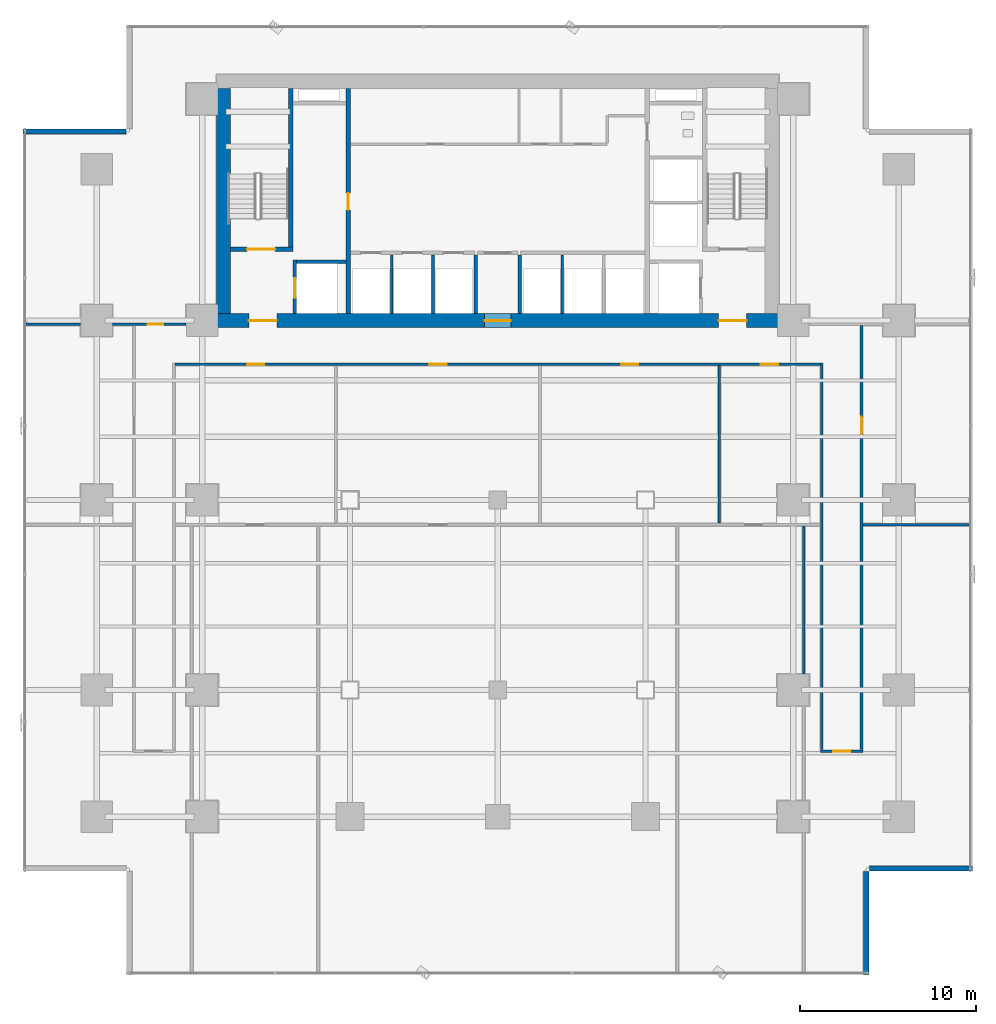
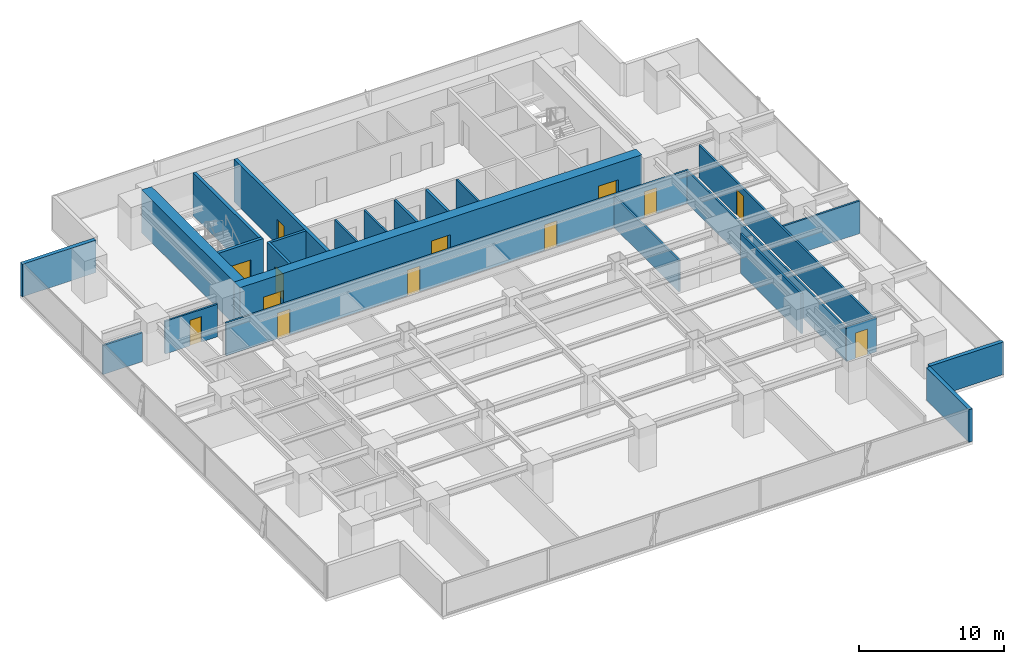
# One storey, part 24 of 32: 24 walls, 13 doors, 13 openings.
"""IFC4 building model written with IfcOpenShell, lengths in metres."""

import ifcopenshell
import ifcopenshell.guid

model = None  # the IFC model being written
_history = None  # IfcOwnerHistory: only IFC2X3 demands one
_inside = {}  # id of a spatial element -> (the spatial element, [elements in it])
_under = {}  # id of a project, library or spatial element -> (it, [spatial elements below it])
_declared = {}  # id of a project -> (the project, [libraries it declares])
_typed = {}  # id of a type object -> (the type object, [elements of that type])
_made_of = {}  # id of a material, layer set ... -> (it, [elements and type objects made of it])


def new_model(schema):
    """Start an empty IFC model of exactly this schema.

    Asked for "IFC4X3", IfcOpenShell would pick the latest addendum, in which some entities
    have other attributes; the version numbers below select the first issue.
    IFC2X3 requires an IfcOwnerHistory on every rooted entity: one is made here for all.
    """
    global model, _history
    if schema == "IFC4X3":
        model = ifcopenshell.file(schema_version=(4, 3, 0, 0))
    else:
        model = ifcopenshell.file(schema=schema)
    _inside.clear()
    _under.clear()
    _declared.clear()
    _typed.clear()
    _made_of.clear()
    _history = None
    if model.schema == "IFC2X3":
        org = make("IfcOrganization", Name="unknown")
        user = make(
            "IfcPersonAndOrganization",
            ThePerson=make("IfcPerson", FamilyName="unknown"),
            TheOrganization=org,
        )
        app = make(
            "IfcApplication",
            ApplicationDeveloper=org,
            Version="unknown",
            ApplicationFullName="unknown",
            ApplicationIdentifier="unknown",
        )
        _history = make(
            "IfcOwnerHistory",
            OwningUser=user,
            OwningApplication=app,
            ChangeAction="ADDED",
            CreationDate=0,
        )
    return model


def make(cls, **values):
    """One entity of the class cls with the attributes given. An attribute that is None is left unset."""
    return model.create_entity(
        cls, **{name: value for name, value in values.items() if value is not None}
    )


def rooted(cls, **values):
    """An entity with a GlobalId (a new one), such as an element, a storey or a relation."""
    return make(cls, GlobalId=ifcopenshell.guid.new(), OwnerHistory=_history, **values)


def si_unit(unit_type, name, prefix=None):
    """IfcSIUnit, for example si_unit("LENGTHUNIT", "METRE", prefix="MILLI")."""
    return make("IfcSIUnit", UnitType=unit_type, Prefix=prefix, Name=name)


def assignment(units):
    """IfcUnitAssignment: the units of a project."""
    return None if units is None else make("IfcUnitAssignment", Units=units)


def point(xyz):
    """IfcCartesianPoint."""
    return None if xyz is None else make("IfcCartesianPoint", Coordinates=xyz)


def direction(xyz):
    """IfcDirection."""
    return None if xyz is None else make("IfcDirection", DirectionRatios=xyz)


def frame(location, z_axis=None, x_axis=None):
    """IfcAxis2Placement3D, a coordinate frame: its origin and axes. An axis left out is left unset."""
    return make(
        "IfcAxis2Placement3D",
        Location=point(location),
        Axis=direction(z_axis),
        RefDirection=direction(x_axis),
    )


def frame_2d(location, x_axis=None):
    """IfcAxis2Placement2D, a coordinate frame in the plane: its origin and x axis."""
    return make(
        "IfcAxis2Placement2D", Location=point(location), RefDirection=direction(x_axis)
    )


def origin():
    """The frame at (0, 0, 0) with its axes left unset."""
    return frame((0.0, 0.0, 0.0))


def place(relative_to, where):
    """IfcLocalPlacement: puts the frame where relative to a parent placement (None: the world)."""
    return make(
        "IfcLocalPlacement", PlacementRelTo=relative_to, RelativePlacement=where
    )


def context(
    kind, dimensions, precision=None, world=None, true_north=None, identifier=None
):
    """IfcGeometricRepresentationContext, for example the 3D "Model" context."""
    return make(
        "IfcGeometricRepresentationContext",
        ContextIdentifier=identifier,
        ContextType=kind,
        CoordinateSpaceDimension=dimensions,
        Precision=precision,
        WorldCoordinateSystem=world,
        TrueNorth=true_north,
    )


def subcontext(parent, identifier, kind, view, scale=None):
    """IfcGeometricRepresentationSubContext, for example "Body" below "Model"."""
    return make(
        "IfcGeometricRepresentationSubContext",
        ContextIdentifier=identifier,
        ContextType=kind,
        ParentContext=parent,
        TargetScale=scale,
        TargetView=view,
    )


def project(units=None, contexts=None):
    """IfcProject with its units and contexts."""
    return rooted(
        "IfcProject",
        Name="project",
        RepresentationContexts=contexts,
        UnitsInContext=assignment(units),
    )


def spatial(cls, under=None, at=None, **own):
    """A site, building, storey or space (cls), placed at a placement, below another one or the project."""
    s = rooted(cls, ObjectPlacement=at, **own)
    if under is not None:
        _under.setdefault(under.id(), (under, []))[1].append(s)
    return s


def profile(cls, at=None, kind="AREA", **sizes):
    """A parametric profile (cls). Its sizes go by their IFC names, for example OverallWidth=200.0."""
    return make(cls, ProfileType=kind, Position=at, **sizes)


def rectangle(**sizes):
    """IfcRectangleProfileDef."""
    return profile("IfcRectangleProfileDef", **sizes)


def extrude(swept, where, along, depth):
    """IfcExtrudedAreaSolid: the profile swept, set in the frame where, extruded along a direction by depth."""
    return make(
        "IfcExtrudedAreaSolid",
        SweptArea=swept,
        Position=where,
        ExtrudedDirection=direction(along),
        Depth=depth,
    )


def shape(context_of_items, identifier, shape_type, items):
    """IfcShapeRepresentation: the items that make up one representation, for example the "Body"."""
    return make(
        "IfcShapeRepresentation",
        ContextOfItems=context_of_items,
        RepresentationIdentifier=identifier,
        RepresentationType=shape_type,
        Items=items,
    )


def source(mapping_origin, context_of_items, identifier, shape_type, items):
    """IfcRepresentationMap: a shape defined once, which mapped items show again and again."""
    return make(
        "IfcRepresentationMap",
        MappingOrigin=mapping_origin,
        MappedRepresentation=shape(context_of_items, identifier, shape_type, items),
    )


def transform(
    local_origin,
    x_axis=None,
    y_axis=None,
    z_axis=None,
    scale=None,
    scale2=None,
    scale3=None,
    uniform=True,
):
    """IfcCartesianTransformationOperator3D, or its non-uniform kind. x_axis, y_axis, z_axis: its Axis1, 2, 3."""
    if uniform:
        return make(
            "IfcCartesianTransformationOperator3D",
            Axis1=direction(x_axis),
            Axis2=direction(y_axis),
            LocalOrigin=point(local_origin),
            Scale=scale,
            Axis3=direction(z_axis),
        )
    return make(
        "IfcCartesianTransformationOperator3DnonUniform",
        Axis1=direction(x_axis),
        Axis2=direction(y_axis),
        LocalOrigin=point(local_origin),
        Scale=scale,
        Axis3=direction(z_axis),
        Scale2=scale2,
        Scale3=scale3,
    )


def mapped(mapping_source, mapping_target):
    """IfcMappedItem: shows the shape of a source again, moved by a transform."""
    return make(
        "IfcMappedItem", MappingSource=mapping_source, MappingTarget=mapping_target
    )


def material(Name=None, Category=None):
    """IfcMaterial."""
    return make("IfcMaterial", Name=Name, Category=Category)


def layer(
    of_material, thickness, ventilated=None, Name=None, Category=None, Priority=None
):
    """IfcMaterialLayer: one layer of a wall or slab, of a material (None: an air gap)."""
    return make(
        "IfcMaterialLayer",
        Material=of_material,
        LayerThickness=thickness,
        IsVentilated=ventilated,
        Name=Name,
        Category=Category,
        Priority=Priority,
    )


def layer_set(layers, Name=None):
    """IfcMaterialLayerSet."""
    return make("IfcMaterialLayerSet", MaterialLayers=layers, LayerSetName=Name)


def made_of(thing, what):
    """Note that an element or type object is made of a material, layer set ...; save() writes the relation."""
    if what is not None:
        _made_of.setdefault(what.id(), (what, []))[1].append(thing)
    return thing


def type_object(cls, material=None, **own):
    """A type object (cls), such as IfcWallType, which elements share."""
    return made_of(rooted(cls, **own), material)


def element(
    cls,
    number,
    at=None,
    inside=None,
    cuts=None,
    type_object=None,
    material=None,
    context=None,
    identifier="Body",
    shape_type=None,
    held_by="IfcProductDefinitionShape",
    body=None,
    shapes=None,
    **own,
):
    """One element of the class cls, such as IfcWall. Its Tag is "e" and its number.

    at: its placement. inside: the storey or other place that contains it. cuts: it is an
    opening in that element (IfcRelVoidsElement). A single representation is given by context,
    identifier, shape_type and body (its items); several are given by shapes. held_by: the class
    of the entity that holds the representations. save() writes the other relations.
    """
    e = rooted(cls, Tag="e%d" % number, ObjectPlacement=at, **own)
    if body is not None:
        shapes = [shape(context, identifier, shape_type, body)]
    if shapes is not None:
        e.Representation = make(held_by, Representations=shapes)
    if inside is not None:
        _inside.setdefault(inside.id(), (inside, []))[1].append(e)
    if cuts is not None:
        rooted(
            "IfcRelVoidsElement", RelatingBuildingElement=cuts, RelatedOpeningElement=e
        )
    if type_object is not None:
        _typed.setdefault(type_object.id(), (type_object, []))[1].append(e)
    return made_of(e, material)


def fill(opening, filler):
    """IfcRelFillsElement: the door or window that sits in an opening."""
    return rooted(
        "IfcRelFillsElement",
        RelatingOpeningElement=opening,
        RelatedBuildingElement=filler,
    )


def aggregate(whole, parts):
    """IfcRelAggregates: a whole, such as a stair, and the parts it consists of."""
    return rooted("IfcRelAggregates", RelatingObject=whole, RelatedObjects=parts)


def save(model, path):
    """Write the relations noted so far, then the file.

    IfcRelAggregates (storeys below a building ...), IfcRelContainedInSpatialStructure (elements
    in a storey), IfcRelDefinesByType, IfcRelAssociatesMaterial and IfcRelDeclares: one each for
    every whole, place, type object, material and project.
    """
    for whole, parts in _under.values():
        aggregate(whole, parts)
    for where, things in _inside.values():
        rooted(
            "IfcRelContainedInSpatialStructure",
            RelatedElements=things,
            RelatingStructure=where,
        )
    for kind, things in _typed.values():
        rooted("IfcRelDefinesByType", RelatedObjects=things, RelatingType=kind)
    for what, things in _made_of.values():
        rooted("IfcRelAssociatesMaterial", RelatedObjects=things, RelatingMaterial=what)
    for by, libraries in _declared.values():
        rooted("IfcRelDeclares", RelatingContext=by, RelatedDefinitions=libraries)
    model.write(path)


model = new_model("IFC4")

# Units and contexts
model_context = context("Model", 3, precision=1e-05, world=origin(), true_north=direction((0.0, 1.0)))
body_context = subcontext(model_context, "Body", "Model", "MODEL_VIEW")
ifc_project = project(units=[si_unit("LENGTHUNIT", "METRE"), si_unit("AREAUNIT", "SQUARE_METRE"), si_unit("VOLUMEUNIT", "CUBIC_METRE"), si_unit("PLANEANGLEUNIT", "RADIAN"), si_unit("MASSUNIT", "GRAM", prefix="KILO")], contexts=[model_context])

# Site, building, storey
site_placement = place(None, origin())
site = spatial("IfcSite", under=ifc_project, at=site_placement, CompositionType="ELEMENT")
building_placement = place(site_placement, origin())
building = spatial("IfcBuilding", under=site, at=building_placement, Name="Sumidabori Civic Tower", CompositionType="ELEMENT")
storey_placement = place(building_placement, frame((0.0, 0.0, 48.800048828125)))
storey = spatial("IfcBuildingStorey", under=building, at=storey_placement, Name="L12", CompositionType="ELEMENT", Elevation=48.800048828125)

# Wall, openings, doors
ifc_material_1 = material(Name="Concrete C60/75", Category="concrete")
ifc_layer_1 = layer(ifc_material_1, 0.800048828125, Name="Concrete C60/75")
ifc_layer_set_1 = layer_set([ifc_layer_1], Name="Concrete C60/75")
wall_type_1 = type_object("IfcWallType", Name="WL-CORE-800", PredefinedType="SHEAR", material=ifc_layer_set_1)
shared_shape_1 = source(origin(), body_context, "Body", "SweptSolid", [
    extrude(rectangle(XDim=32.0, YDim=0.800048828125, at=frame_2d((16.0, 0.0))), origin(), (0.0, 0.0, 1.0), 3.599853515625),
])
wall_1_placement = place(storey_placement, frame((-16.0, 10.199951171875, 0.0), z_axis=(0.0, 0.0, 1.0), x_axis=(1.0, 0.0, 0.0)))
wall_1 = element("IfcWall", 1, at=wall_1_placement, inside=storey, type_object=wall_type_1, Name="Core Shear Wall L12 S", PredefinedType="SHEAR", context=body_context, shape_type="MappedRepresentation", body=[
    mapped(shared_shape_1, transform((0.0, 0.0, 0.0), x_axis=(1.0, 0.0, 0.0), y_axis=(0.0, 1.0, 0.0), z_axis=(0.0, 0.0, 1.0), scale=1.0)),
])
opening_1_placement = place(wall_1_placement, frame((1.85009765625, 0.0, 0.0)))
opening_1 = element("IfcOpeningElement", 2, at=opening_1_placement, cuts=wall_1, Name="Opening DR-FD4", PredefinedType="OPENING", context=body_context, shape_type="SweptSolid", body=[
    extrude(rectangle(XDim=1.60009765625, YDim=2.14990234375, at=frame_2d((0.800048828125, 1.074951171875))), frame((0.0, 0.412109375, 0.0), z_axis=(0.0, -1.0, 0.0), x_axis=(1.0, 0.0, 0.0)), (0.0, 0.0, 1.0), 0.823974609375),
])
opening_2_placement = place(wall_1_placement, frame((28.550048828125, 0.0, 0.0)))
opening_2 = element("IfcOpeningElement", 3, at=opening_2_placement, cuts=wall_1, Name="Opening DR-FD4", PredefinedType="OPENING", context=body_context, shape_type="SweptSolid", body=[
    extrude(rectangle(XDim=1.60009765625, YDim=2.14990234375, at=frame_2d((0.800048828125, 1.074951171875))), frame((0.0, 0.412109375, 0.0), z_axis=(0.0, -1.0, 0.0), x_axis=(1.0, 0.0, 0.0)), (0.0, 0.0, 1.0), 0.823974609375),
])
opening_3_placement = place(wall_1_placement, frame((15.25, 0.0, 0.0)))
opening_3 = element("IfcOpeningElement", 4, at=opening_3_placement, cuts=wall_1, Name="Opening DR-FD3", PredefinedType="OPENING", context=body_context, shape_type="SweptSolid", body=[
    extrude(rectangle(XDim=1.5, YDim=2.199951171875, at=frame_2d((0.75, 1.10009765625))), frame((0.0, 0.412109375, 0.0), z_axis=(0.0, -1.0, 0.0), x_axis=(1.0, 0.0, 0.0)), (0.0, 0.0, 1.0), 0.823974609375),
])
ifc_material_2 = material(Name="Steel SN490", Category="steel")
door_type_1 = type_object("IfcDoorType", Name="DR-FD4", OperationType="DOUBLE_DOOR_SINGLE_SWING", PredefinedType="DOOR", material=ifc_material_2)
shared_shape_2 = source(origin(), body_context, "Body", "SweptSolid", [
    extrude(rectangle(XDim=1.60009765625, YDim=2.14990234375, at=frame_2d((0.800048828125, 1.074951171875))), frame((0.0, 0.02490234375, 0.0), z_axis=(0.0, -1.0, 0.0), x_axis=(1.0, 0.0, 0.0)), (0.0, 0.0, 1.0), 0.050048828125),
])
door_1_placement = place(opening_1_placement, origin())
door_1 = element("IfcDoor", 5, at=door_1_placement, inside=storey, type_object=door_type_1, Name="Door DR:L12:ELOB-W", OperationType="DOUBLE_DOOR_SINGLE_SWING", OverallHeight=2.14990234375, OverallWidth=1.60009765625, PredefinedType="DOOR", context=body_context, shape_type="MappedRepresentation", body=[
    mapped(shared_shape_2, transform((0.0, 0.0, 0.0), x_axis=(1.0, 0.0, 0.0), y_axis=(0.0, 1.0, 0.0), z_axis=(0.0, 0.0, 1.0), scale=1.0)),
])
fill(opening_1, door_1)
door_2_placement = place(opening_2_placement, origin())
door_2 = element("IfcDoor", 6, at=door_2_placement, inside=storey, type_object=door_type_1, Name="Door DR:L12:ELOB-E", OperationType="DOUBLE_DOOR_SINGLE_SWING", OverallHeight=2.14990234375, OverallWidth=1.60009765625, PredefinedType="DOOR", context=body_context, shape_type="MappedRepresentation", body=[
    mapped(shared_shape_2, transform((0.0, 0.0, 0.0), x_axis=(1.0, 0.0, 0.0), y_axis=(0.0, 1.0, 0.0), z_axis=(0.0, 0.0, 1.0), scale=1.0)),
])
fill(opening_2, door_2)
door_type_2 = type_object("IfcDoorType", Name="DR-FD-DBL", OperationType="DOUBLE_DOOR_SINGLE_SWING", PredefinedType="DOOR", material=ifc_material_2)
shared_shape_3 = source(origin(), body_context, "Body", "SweptSolid", [
    extrude(rectangle(XDim=1.5, YDim=2.199951171875, at=frame_2d((0.75, 1.10009765625))), frame((0.0, 0.02490234375, 0.0), z_axis=(0.0, -1.0, 0.0), x_axis=(1.0, 0.0, 0.0)), (0.0, 0.0, 1.0), 0.050048828125),
])
door_3_placement = place(opening_3_placement, origin())
door_3 = element("IfcDoor", 7, at=door_3_placement, inside=storey, type_object=door_type_2, Name="Door DR:L12:THROAT-OUT", OperationType="DOUBLE_DOOR_SINGLE_SWING", OverallHeight=2.199951171875, OverallWidth=1.5, PredefinedType="DOOR", context=body_context, shape_type="MappedRepresentation", body=[
    mapped(shared_shape_3, transform((0.0, 0.0, 0.0), x_axis=(1.0, 0.0, 0.0), y_axis=(0.0, 1.0, 0.0), z_axis=(0.0, 0.0, 1.0), scale=1.0)),
])
fill(opening_3, door_3)

# Wall
shared_shape_4 = source(origin(), body_context, "Body", "SweptSolid", [
    extrude(rectangle(XDim=12.7998046875, YDim=0.800048828125, at=frame_2d((6.39990234375, 0.0))), origin(), (0.0, 0.0, 1.0), 3.599853515625),
])
wall_2_placement = place(storey_placement, frame((-15.60009765625, 10.60009765625, 0.0), z_axis=(0.0, 0.0, 1.0), x_axis=(0.0, 1.0, 0.0)))
element("IfcWall", 8, at=wall_2_placement, inside=storey, type_object=wall_type_1, Name="Core Shear Wall L12 W", PredefinedType="SHEAR", context=body_context, shape_type="MappedRepresentation", body=[
    mapped(shared_shape_4, transform((0.0, 0.0, 0.0), x_axis=(1.0, 0.0, 0.0), y_axis=(0.0, 1.0, 0.0), z_axis=(0.0, 0.0, 1.0), scale=1.0)),
])

# Wall, opening, door
ifc_material_3 = material(Name="Concrete C50/60", Category="concrete")
ifc_layer_2 = layer(ifc_material_3, 0.25, Name="Concrete C50/60")
ifc_layer_set_2 = layer_set([ifc_layer_2], Name="Concrete C50/60")
wall_type_2 = type_object("IfcWallType", Name="WL-SHAFT-250", PredefinedType="SHEAR", material=ifc_layer_set_2)
shared_shape_5 = source(origin(), body_context, "Body", "SweptSolid", [
    extrude(rectangle(XDim=12.7998046875, YDim=0.25, at=frame_2d((6.39990234375, 0.0))), origin(), (0.0, 0.0, 1.0), 3.599853515625),
])
wall_3_placement = place(storey_placement, frame((-8.5, 10.60009765625, 0.0), z_axis=(0.0, 0.0, 1.0), x_axis=(0.0, 1.0, 0.0)))
wall_3 = element("IfcWall", 9, at=wall_3_placement, inside=storey, type_object=wall_type_2, Name="Core Shear Wall L12 WEB-W", PredefinedType="SHEAR", context=body_context, shape_type="MappedRepresentation", body=[
    mapped(shared_shape_5, transform((0.0, 0.0, 0.0), x_axis=(1.0, 0.0, 0.0), y_axis=(0.0, 1.0, 0.0), z_axis=(0.0, 0.0, 1.0), scale=1.0)),
])
opening_4_placement = place(wall_3_placement, frame((5.89990234375, 0.0, 0.0)))
opening_4 = element("IfcOpeningElement", 10, at=opening_4_placement, cuts=wall_3, Name="Opening DR-FD2", PredefinedType="OPENING", context=body_context, shape_type="SweptSolid", body=[
    extrude(rectangle(XDim=0.949951171875, YDim=2.14990234375, at=frame_2d((0.47509765625, 1.074951171875))), frame((0.0, 0.136962890625, 0.0), z_axis=(0.0, -1.0, 0.0), x_axis=(1.0, 0.0, 0.0)), (0.0, 0.0, 1.0), 0.27392578125),
])
door_type_3 = type_object("IfcDoorType", Name="DR-FD2", OperationType="NOTDEFINED", PredefinedType="DOOR", material=ifc_material_2)
shared_shape_6 = source(origin(), body_context, "Body", "SweptSolid", [
    extrude(rectangle(XDim=0.949951171875, YDim=2.14990234375, at=frame_2d((0.47509765625, 1.074951171875))), frame((0.0, 0.02490234375, 0.0), z_axis=(0.0, -1.0, 0.0), x_axis=(1.0, 0.0, 0.0)), (0.0, 0.0, 1.0), 0.050048828125),
])
door_4_placement = place(opening_4_placement, origin())
door_4 = element("IfcDoor", 11, at=door_4_placement, inside=storey, type_object=door_type_3, Name="Door DR:L12:CW-STR", OperationType="SINGLE_SWING_LEFT", OverallHeight=2.14990234375, OverallWidth=0.949951171875, PredefinedType="DOOR", context=body_context, shape_type="MappedRepresentation", body=[
    mapped(shared_shape_6, transform((0.0, 0.0, 0.0), x_axis=(1.0, 0.0, 0.0), y_axis=(0.0, 1.0, 0.0), z_axis=(0.0, 0.0, 1.0), scale=1.0)),
])
fill(opening_4, door_4)

shared_shape_7 = source(origin(), body_context, "Body", "SweptSolid", [
    extrude(rectangle(XDim=3.554931640625, YDim=0.25, at=frame_2d((1.77734375, 0.0))), origin(), (0.0, 0.0, 1.0), 3.599853515625),
])
wall_4_placement = place(storey_placement, frame((-15.199951171875, 14.25, 0.0), z_axis=(0.0, 0.0, 1.0), x_axis=(1.0, 0.0, 0.0)))
wall_4 = element("IfcWall", 12, at=wall_4_placement, inside=storey, type_object=wall_type_2, Name="Core Shear Wall L12 ST1-S", PredefinedType="SHEAR", context=body_context, shape_type="MappedRepresentation", body=[
    mapped(shared_shape_7, transform((0.0, 0.0, 0.0), x_axis=(1.0, 0.0, 0.0), y_axis=(0.0, 1.0, 0.0), z_axis=(0.0, 0.0, 1.0), scale=1.0)),
])
opening_5_placement = place(wall_4_placement, frame((0.949951171875, 0.0, 0.0)))
opening_5 = element("IfcOpeningElement", 13, at=opening_5_placement, cuts=wall_4, Name="Opening DR-FD4", PredefinedType="OPENING", context=body_context, shape_type="SweptSolid", body=[
    extrude(rectangle(XDim=1.60009765625, YDim=2.14990234375, at=frame_2d((0.800048828125, 1.074951171875))), frame((0.0, 0.136962890625, 0.0), z_axis=(0.0, -1.0, 0.0), x_axis=(1.0, 0.0, 0.0)), (0.0, 0.0, 1.0), 0.27392578125),
])
door_5_placement = place(opening_5_placement, origin())
door_5 = element("IfcDoor", 14, at=door_5_placement, inside=storey, type_object=door_type_1, Name="Door DR:L12:ST1", OperationType="DOUBLE_DOOR_SINGLE_SWING", OverallHeight=2.14990234375, OverallWidth=1.60009765625, PredefinedType="DOOR", context=body_context, shape_type="MappedRepresentation", body=[
    mapped(shared_shape_2, transform((0.0, 0.0, 0.0), x_axis=(1.0, 0.0, 0.0), y_axis=(0.0, 1.0, 0.0), z_axis=(0.0, 0.0, 1.0), scale=1.0)),
])
fill(opening_5, door_5)

# Wall
shared_shape_8 = source(origin(), body_context, "Body", "SweptSolid", [
    extrude(rectangle(XDim=9.02490234375, YDim=0.25, at=frame_2d((4.512451171875, 0.0))), origin(), (0.0, 0.0, 1.0), 3.599853515625),
])
wall_5_placement = place(storey_placement, frame((-11.77001953125, 14.375, 0.0), z_axis=(0.0, 0.0, 1.0), x_axis=(0.0, 1.0, 0.0)))
element("IfcWall", 15, at=wall_5_placement, inside=storey, type_object=wall_type_2, Name="Core Shear Wall L12 ST1-E", PredefinedType="SHEAR", context=body_context, shape_type="MappedRepresentation", body=[
    mapped(shared_shape_8, transform((0.0, 0.0, 0.0), x_axis=(1.0, 0.0, 0.0), y_axis=(0.0, 1.0, 0.0), z_axis=(0.0, 0.0, 1.0), scale=1.0)),
])

# Wall, opening, door
ifc_layer_3 = layer(ifc_material_3, 0.199951171875, Name="Concrete C50/60")
ifc_layer_set_3 = layer_set([ifc_layer_3], Name="Concrete C50/60")
wall_type_3 = type_object("IfcWallType", Name="WL-SHAFT-200", PredefinedType="SHEAR", material=ifc_layer_set_3)
shared_shape_9 = source(origin(), body_context, "Body", "SweptSolid", [
    extrude(rectangle(XDim=3.0498046875, YDim=0.199951171875, at=frame_2d((1.52490234375, 0.0))), origin(), (0.0, 0.0, 1.0), 3.599853515625),
])
wall_6_placement = place(storey_placement, frame((-11.550048828125, 10.60009765625, 0.0), z_axis=(0.0, 0.0, 1.0), x_axis=(0.0, 1.0, 0.0)))
wall_6 = element("IfcWall", 16, at=wall_6_placement, inside=storey, type_object=wall_type_3, Name="Core Shear Wall L12 EL1-W", PredefinedType="SHEAR", context=body_context, shape_type="MappedRepresentation", body=[
    mapped(shared_shape_9, transform((0.0, 0.0, 0.0), x_axis=(1.0, 0.0, 0.0), y_axis=(0.0, 1.0, 0.0), z_axis=(0.0, 0.0, 1.0), scale=1.0)),
])
opening_6_placement = place(wall_6_placement, frame((0.89990234375, 0.0, 0.0)))
opening_6 = element("IfcOpeningElement", 17, at=opening_6_placement, cuts=wall_6, Name="Opening LD-2", PredefinedType="OPENING", context=body_context, shape_type="SweptSolid", body=[
    extrude(rectangle(XDim=1.10009765625, YDim=2.14990234375, at=frame_2d((0.550048828125, 1.074951171875))), frame((0.0, 0.11181640625, 0.0), z_axis=(0.0, -1.0, 0.0), x_axis=(1.0, 0.0, 0.0)), (0.0, 0.0, 1.0), 0.223876953125),
])
ifc_material_4 = material(Name="Stainless Steel Hairline Finish", Category="steel")
door_type_4 = type_object("IfcDoorType", Name="DR-LD2", OperationType="DOUBLE_DOOR_SLIDING", PredefinedType="DOOR", material=ifc_material_4)
shared_shape_10 = source(origin(), body_context, "Body", "SweptSolid", [
    extrude(rectangle(XDim=1.10009765625, YDim=2.14990234375, at=frame_2d((0.550048828125, 1.074951171875))), frame((0.0, 0.02490234375, 0.0), z_axis=(0.0, -1.0, 0.0), x_axis=(1.0, 0.0, 0.0)), (0.0, 0.0, 1.0), 0.050048828125),
])
door_6_placement = place(opening_6_placement, origin())
door_6 = element("IfcDoor", 18, at=door_6_placement, inside=storey, type_object=door_type_4, Name="Door DR:L12:LD-EL1", OperationType="DOUBLE_DOOR_SLIDING", OverallHeight=2.14990234375, OverallWidth=1.10009765625, PredefinedType="DOOR", context=body_context, shape_type="MappedRepresentation", body=[
    mapped(shared_shape_10, transform((0.0, 0.0, 0.0), x_axis=(1.0, 0.0, 0.0), y_axis=(0.0, 1.0, 0.0), z_axis=(0.0, 0.0, 1.0), scale=1.0)),
])
fill(opening_6, door_6)

# Walls
shared_shape_11 = source(origin(), body_context, "Body", "SweptSolid", [
    extrude(rectangle(XDim=2.824951171875, YDim=0.199951171875, at=frame_2d((1.41259765625, 0.0))), origin(), (0.0, 0.0, 1.0), 3.599853515625),
])
wall_7_placement = place(storey_placement, frame((-11.449951171875, 13.550048828125, 0.0), z_axis=(0.0, 0.0, 1.0), x_axis=(1.0, 0.0, 0.0)))
element("IfcWall", 19, at=wall_7_placement, inside=storey, type_object=wall_type_3, Name="Core Shear Wall L12 EL1-N", PredefinedType="SHEAR", context=body_context, shape_type="MappedRepresentation", body=[
    mapped(shared_shape_11, transform((0.0, 0.0, 0.0), x_axis=(1.0, 0.0, 0.0), y_axis=(0.0, 1.0, 0.0), z_axis=(0.0, 0.0, 1.0), scale=1.0)),
])
ifc_material_5 = material(Name="Precast concrete C40/50", Category="concrete")
ifc_layer_4 = layer(ifc_material_5, 0.300048828125, Name="Precast concrete C40/50")
ifc_layer_set_4 = layer_set([ifc_layer_4], Name="Precast concrete C40/50")
wall_type_4 = type_object("IfcWallType", Name="WL-EXT-POD300", PredefinedType="STANDARD", material=ifc_layer_set_4)
shared_shape_12 = source(origin(), body_context, "Body", "SweptSolid", [
    extrude(rectangle(XDim=5.85986328125, YDim=0.300048828125, at=frame_2d((2.929931640625, 0.0))), origin(), (0.0, 0.0, 1.0), 2.739990234375),
])
for number, where, z_axis, x_axis, name in (
    (20, (20.949951171875, -26.97998046875, 0.0), (0.0, 0.0, 1.0), (0.0, 1.0, 0.0), "Notched Corner Spandrel Band L12-02"),
    (21, (21.1201171875, -20.949951171875, 0.0), (0.0, 0.0, 1.0), (1.0, 0.0, 0.0), "Notched Corner Spandrel Band L12-03"),
    (22, (-21.1201171875, 20.949951171875, 0.0), (0.0, 0.0, 1.0), (-1.0, 0.0, 0.0), "Notched Corner Spandrel Band L12-09"),
):
    element("IfcWall", number, at=place(storey_placement, frame(where, z_axis=z_axis, x_axis=x_axis)), inside=storey, type_object=wall_type_4, Name=name, PredefinedType="STANDARD", context=body_context, shape_type="MappedRepresentation", body=[
        mapped(shared_shape_12, transform((0.0, 0.0, 0.0), x_axis=(1.0, 0.0, 0.0), y_axis=(0.0, 1.0, 0.0), z_axis=(0.0, 0.0, 1.0), scale=1.0)),
    ])
ifc_material_6 = material(Name="Gypsum Plasterboard Fire Partition")
ifc_layer_5 = layer(ifc_material_6, 0.199951171875, Name="Gypsum Plasterboard Fire Partition")
ifc_layer_set_5 = layer_set([ifc_layer_5], Name="Gypsum Plasterboard Fire Partition")
wall_type_5 = type_object("IfcWallType", Name="WL-PART-FIRE", PredefinedType="PARTITIONING", material=ifc_layer_set_5)
shared_shape_13 = source(origin(), body_context, "Body", "SweptSolid", [
    extrude(rectangle(XDim=3.33984375, YDim=0.199951171875, at=frame_2d((1.669921875, 0.0))), origin(), (0.0, 0.0, 1.0), 3.35986328125),
])
for number, where, z_axis, x_axis, name in (
    (23, (-1.25, 10.60009765625, 0.0), (0.0, 0.0, 1.0), (0.0, 1.0, 0.0), "Interior Partition WL:L12:THROAT-W"),
    (24, (1.25, 10.60009765625, 0.0), (0.0, 0.0, 1.0), (0.0, 1.0, 0.0), "Interior Partition WL:L12:THROAT-E"),
):
    element("IfcWall", number, at=place(storey_placement, frame(where, z_axis=z_axis, x_axis=x_axis)), inside=storey, type_object=wall_type_5, Name=name, PredefinedType="PARTITIONING", context=body_context, shape_type="MappedRepresentation", body=[
        mapped(shared_shape_13, transform((0.0, 0.0, 0.0), x_axis=(1.0, 0.0, 0.0), y_axis=(0.0, 1.0, 0.0), z_axis=(0.0, 0.0, 1.0), scale=1.0)),
    ])
ifc_material_7 = material(Name="Gypsum Plasterboard Acoustic Partition")
ifc_layer_6 = layer(ifc_material_7, 0.14990234375, Name="Gypsum Plasterboard Acoustic Partition")
ifc_layer_set_6 = layer_set([ifc_layer_6], Name="Gypsum Plasterboard Acoustic Partition")
wall_type_6 = type_object("IfcWallType", Name="WL-PART-150", PredefinedType="PARTITIONING", material=ifc_layer_set_6)
shared_shape_14 = source(origin(), body_context, "Body", "SweptSolid", [
    extrude(rectangle(XDim=3.33984375, YDim=0.14990234375, at=frame_2d((1.669921875, 0.0))), origin(), (0.0, 0.0, 1.0), 3.35986328125),
])
for number, where, z_axis, x_axis, name in (
    (25, (-6.030029296875, 10.60009765625, 0.0), (0.0, 0.0, 1.0), (0.0, 1.0, 0.0), "Interior Partition WL:L12:DIV-PLL1"),
    (26, (-3.679931640625, 10.60009765625, 0.0), (0.0, 0.0, 1.0), (0.0, 1.0, 0.0), "Interior Partition WL:L12:DIV-PLL2"),
    (27, (3.669921875, 10.60009765625, 0.0), (0.0, 0.0, 1.0), (0.0, 1.0, 0.0), "Interior Partition WL:L12:DIV-PLM1"),
):
    element("IfcWall", number, at=place(storey_placement, frame(where, z_axis=z_axis, x_axis=x_axis)), inside=storey, type_object=wall_type_6, Name=name, PredefinedType="PARTITIONING", context=body_context, shape_type="MappedRepresentation", body=[
        mapped(shared_shape_14, transform((0.0, 0.0, 0.0), x_axis=(1.0, 0.0, 0.0), y_axis=(0.0, 1.0, 0.0), z_axis=(0.0, 0.0, 1.0), scale=1.0)),
    ])
shared_shape_15 = source(origin(), body_context, "Body", "SweptSolid", [
    extrude(rectangle(XDim=3.14013671875, YDim=0.14990234375, at=frame_2d((1.570068359375, 0.0))), origin(), (0.0, 0.0, 1.0), 2.43505859375),
])
wall_8_placement = place(storey_placement, frame((-26.85009765625, 10.0, 0.0), z_axis=(0.0, 0.0, 1.0), x_axis=(1.0, 0.0, 0.0)))
element("IfcWall", 28, at=wall_8_placement, inside=storey, type_object=wall_type_6, Name="Interior Partition WL:L12:FLK-NW-1", PredefinedType="PARTITIONING", context=body_context, shape_type="MappedRepresentation", body=[
    mapped(shared_shape_15, transform((0.0, 0.0, 0.0), x_axis=(1.0, 0.0, 0.0), y_axis=(0.0, 1.0, 0.0), z_axis=(0.0, 0.0, 1.0), scale=1.0)),
])
shared_shape_16 = source(origin(), body_context, "Body", "SweptSolid", [
    extrude(rectangle(XDim=8.965087890625, YDim=0.14990234375, at=frame_2d((4.482421875, 0.0))), origin(), (0.0, 0.0, 1.0), 2.64501953125),
])
wall_9_placement = place(storey_placement, frame((12.60009765625, -1.320068359375, 0.0), z_axis=(0.0, 0.0, 1.0), x_axis=(0.0, 1.0, 0.0)))
element("IfcWall", 29, at=wall_9_placement, inside=storey, type_object=wall_type_6, Name="Interior Partition WL:L12:VX-N4", PredefinedType="PARTITIONING", context=body_context, shape_type="MappedRepresentation", body=[
    mapped(shared_shape_16, transform((0.0, 0.0, 0.0), x_axis=(1.0, 0.0, 0.0), y_axis=(0.0, 1.0, 0.0), z_axis=(0.0, 0.0, 1.0), scale=1.0)),
])

# Wall, opening, door
shared_shape_17 = source(origin(), body_context, "Body", "SweptSolid", [
    extrude(rectangle(XDim=4.179931640625, YDim=0.14990234375, at=frame_2d((2.08984375, 0.0))), origin(), (0.0, 0.0, 1.0), 2.744873046875),
])
wall_10_placement = place(storey_placement, frame((-21.889892578125, 10.0, 0.0), z_axis=(0.0, 0.0, 1.0), x_axis=(1.0, 0.0, 0.0)))
wall_10 = element("IfcWall", 30, at=wall_10_placement, inside=storey, type_object=wall_type_6, Name="Interior Partition WL:L12:FLK-NW-2", PredefinedType="PARTITIONING", context=body_context, shape_type="MappedRepresentation", body=[
    mapped(shared_shape_17, transform((0.0, 0.0, 0.0), x_axis=(1.0, 0.0, 0.0), y_axis=(0.0, 1.0, 0.0), z_axis=(0.0, 0.0, 1.0), scale=1.0)),
])
opening_7_placement = place(wall_10_placement, frame((1.985107421875, 0.0, 0.0)))
opening_7 = element("IfcOpeningElement", 31, at=opening_7_placement, cuts=wall_10, Name="Opening DR-1", PredefinedType="OPENING", context=body_context, shape_type="SweptSolid", body=[
    extrude(rectangle(XDim=0.89990234375, YDim=2.14990234375, at=frame_2d((0.449951171875, 1.074951171875))), frame((0.0, 0.0869140625, 0.0), z_axis=(0.0, -1.0, 0.0), x_axis=(1.0, 0.0, 0.0)), (0.0, 0.0, 1.0), 0.173828125),
])
ifc_material_8 = material(Name="Japanese Hinoki Timber", Category="wood")
door_type_5 = type_object("IfcDoorType", Name="DR-INT-900", OperationType="NOTDEFINED", PredefinedType="DOOR", material=ifc_material_8)
shared_shape_18 = source(origin(), body_context, "Body", "SweptSolid", [
    extrude(rectangle(XDim=0.89990234375, YDim=2.14990234375, at=frame_2d((0.449951171875, 1.074951171875))), frame((0.0, 0.02490234375, 0.0), z_axis=(0.0, -1.0, 0.0), x_axis=(1.0, 0.0, 0.0)), (0.0, 0.0, 1.0), 0.050048828125),
])
door_7_placement = place(opening_7_placement, origin())
door_7 = element("IfcDoor", 32, at=door_7_placement, inside=storey, type_object=door_type_5, Name="Door DR:L12:FLK-NE", OperationType="SINGLE_SWING_LEFT", OverallHeight=2.14990234375, OverallWidth=0.89990234375, PredefinedType="DOOR", context=body_context, shape_type="MappedRepresentation", body=[
    mapped(shared_shape_18, transform((0.0, 0.0, 0.0), x_axis=(1.0, 0.0, 0.0), y_axis=(0.0, 1.0, 0.0), z_axis=(0.0, 0.0, 1.0), scale=1.0)),
])
fill(opening_7, door_7)

# Wall, openings, doors
shared_shape_19 = source(origin(), body_context, "Body", "SweptSolid", [
    extrude(rectangle(XDim=36.7001953125, YDim=0.14990234375, at=frame_2d((18.35009765625, 0.0))), origin(), (0.0, 0.0, 1.0), 2.744873046875),
])
wall_11_placement = place(storey_placement, frame((-18.35009765625, 7.72509765625, 0.0), z_axis=(0.0, 0.0, 1.0), x_axis=(1.0, 0.0, 0.0)))
wall_11 = element("IfcWall", 33, at=wall_11_placement, inside=storey, type_object=wall_type_6, Name="Interior Partition WL:L12:CORR-S", PredefinedType="PARTITIONING", context=body_context, shape_type="MappedRepresentation", body=[
    mapped(shared_shape_19, transform((0.0, 0.0, 0.0), x_axis=(1.0, 0.0, 0.0), y_axis=(0.0, 1.0, 0.0), z_axis=(0.0, 0.0, 1.0), scale=1.0)),
])
opening_8_placement = place(wall_11_placement, frame((33.3125, 0.0, 0.0)))
opening_8 = element("IfcOpeningElement", 34, at=opening_8_placement, cuts=wall_11, Name="Opening DR-3", PredefinedType="OPENING", context=body_context, shape_type="SweptSolid", body=[
    extrude(rectangle(XDim=0.97998046875, YDim=2.14990234375, at=frame_2d((0.489990234375, 1.074951171875))), frame((0.0, 0.0869140625, 0.0), z_axis=(0.0, -1.0, 0.0), x_axis=(1.0, 0.0, 0.0)), (0.0, 0.0, 1.0), 0.173828125),
])
opening_9_placement = place(wall_11_placement, frame((4.107421875, 0.0, 0.0)))
opening_9 = element("IfcOpeningElement", 35, at=opening_9_placement, cuts=wall_11, Name="Opening DR-3", PredefinedType="OPENING", context=body_context, shape_type="SweptSolid", body=[
    extrude(rectangle(XDim=0.97998046875, YDim=2.14990234375, at=frame_2d((0.489990234375, 1.074951171875))), frame((0.0, 0.0869140625, 0.0), z_axis=(0.0, -1.0, 0.0), x_axis=(1.0, 0.0, 0.0)), (0.0, 0.0, 1.0), 0.173828125),
])
opening_10_placement = place(wall_11_placement, frame((14.4599609375, 0.0, 0.0)))
opening_10 = element("IfcOpeningElement", 36, at=opening_10_placement, cuts=wall_11, Name="Opening DR-3", PredefinedType="OPENING", context=body_context, shape_type="SweptSolid", body=[
    extrude(rectangle(XDim=0.97998046875, YDim=2.14990234375, at=frame_2d((0.489990234375, 1.074951171875))), frame((0.0, 0.0869140625, 0.0), z_axis=(0.0, -1.0, 0.0), x_axis=(1.0, 0.0, 0.0)), (0.0, 0.0, 1.0), 0.173828125),
])
opening_11_placement = place(wall_11_placement, frame((25.360107421875, 0.0, 0.0)))
opening_11 = element("IfcOpeningElement", 37, at=opening_11_placement, cuts=wall_11, Name="Opening DR-3", PredefinedType="OPENING", context=body_context, shape_type="SweptSolid", body=[
    extrude(rectangle(XDim=0.97998046875, YDim=2.14990234375, at=frame_2d((0.489990234375, 1.074951171875))), frame((0.0, 0.0869140625, 0.0), z_axis=(0.0, -1.0, 0.0), x_axis=(1.0, 0.0, 0.0)), (0.0, 0.0, 1.0), 0.173828125),
])
door_type_6 = type_object("IfcDoorType", Name="DR-INT-980", OperationType="NOTDEFINED", PredefinedType="DOOR", material=ifc_material_8)
shared_shape_20 = source(origin(), body_context, "Body", "SweptSolid", [
    extrude(rectangle(XDim=0.97998046875, YDim=2.14990234375, at=frame_2d((0.489990234375, 1.074951171875))), frame((0.0, 0.02490234375, 0.0), z_axis=(0.0, -1.0, 0.0), x_axis=(1.0, 0.0, 0.0)), (0.0, 0.0, 1.0), 0.050048828125),
])
door_8_placement = place(opening_8_placement, origin())
door_8 = element("IfcDoor", 38, at=door_8_placement, inside=storey, type_object=door_type_6, Name="Door DR:L12:D04", OperationType="SINGLE_SWING_RIGHT", OverallHeight=2.14990234375, OverallWidth=0.97998046875, PredefinedType="DOOR", context=body_context, shape_type="MappedRepresentation", body=[
    mapped(shared_shape_20, transform((0.0, 0.0, 0.0), x_axis=(1.0, 0.0, 0.0), y_axis=(0.0, 1.0, 0.0), z_axis=(0.0, 0.0, 1.0), scale=1.0)),
])
fill(opening_8, door_8)
door_9_placement = place(opening_9_placement, origin())
door_9 = element("IfcDoor", 39, at=door_9_placement, inside=storey, type_object=door_type_6, Name="Door DR:L12:D05", OperationType="SINGLE_SWING_LEFT", OverallHeight=2.14990234375, OverallWidth=0.97998046875, PredefinedType="DOOR", context=body_context, shape_type="MappedRepresentation", body=[
    mapped(shared_shape_20, transform((0.0, 0.0, 0.0), x_axis=(1.0, 0.0, 0.0), y_axis=(0.0, 1.0, 0.0), z_axis=(0.0, 0.0, 1.0), scale=1.0)),
])
fill(opening_9, door_9)
door_10_placement = place(opening_10_placement, origin())
door_10 = element("IfcDoor", 40, at=door_10_placement, inside=storey, type_object=door_type_6, Name="Door DR:L12:D06", OperationType="SINGLE_SWING_RIGHT", OverallHeight=2.14990234375, OverallWidth=0.97998046875, PredefinedType="DOOR", context=body_context, shape_type="MappedRepresentation", body=[
    mapped(shared_shape_20, transform((0.0, 0.0, 0.0), x_axis=(1.0, 0.0, 0.0), y_axis=(0.0, 1.0, 0.0), z_axis=(0.0, 0.0, 1.0), scale=1.0)),
])
fill(opening_10, door_10)
door_11_placement = place(opening_11_placement, origin())
door_11 = element("IfcDoor", 41, at=door_11_placement, inside=storey, type_object=door_type_6, Name="Door DR:L12:D07", OperationType="SINGLE_SWING_LEFT", OverallHeight=2.14990234375, OverallWidth=0.97998046875, PredefinedType="DOOR", context=body_context, shape_type="MappedRepresentation", body=[
    mapped(shared_shape_20, transform((0.0, 0.0, 0.0), x_axis=(1.0, 0.0, 0.0), y_axis=(0.0, 1.0, 0.0), z_axis=(0.0, 0.0, 1.0), scale=1.0)),
])
fill(opening_11, door_11)

# Wall, opening, door
shared_shape_21 = source(origin(), body_context, "Body", "SweptSolid", [
    extrude(rectangle(XDim=2.39990234375, YDim=0.14990234375, at=frame_2d((1.199951171875, 0.0))), origin(), (0.0, 0.0, 1.0), 2.945068359375),
])
wall_12_placement = place(storey_placement, frame((18.35009765625, -14.27490234375, 0.0), z_axis=(0.0, 0.0, 1.0), x_axis=(1.0, 0.0, 0.0)))
wall_12 = element("IfcWall", 42, at=wall_12_placement, inside=storey, type_object=wall_type_6, Name="Interior Partition WL:L12:CORR-CAP-E", PredefinedType="PARTITIONING", context=body_context, shape_type="MappedRepresentation", body=[
    mapped(shared_shape_21, transform((0.0, 0.0, 0.0), x_axis=(1.0, 0.0, 0.0), y_axis=(0.0, 1.0, 0.0), z_axis=(0.0, 0.0, 1.0), scale=1.0)),
])
opening_12_placement = place(wall_12_placement, frame((0.7099609375, 0.0, 0.0)))
opening_12 = element("IfcOpeningElement", 43, at=opening_12_placement, cuts=wall_12, Name="Opening DR-3", PredefinedType="OPENING", context=body_context, shape_type="SweptSolid", body=[
    extrude(rectangle(XDim=0.97998046875, YDim=2.14990234375, at=frame_2d((0.489990234375, 1.074951171875))), frame((0.0, 0.0869140625, 0.0), z_axis=(0.0, -1.0, 0.0), x_axis=(1.0, 0.0, 0.0)), (0.0, 0.0, 1.0), 0.173828125),
])
door_12_placement = place(opening_12_placement, origin())
door_12 = element("IfcDoor", 44, at=door_12_placement, inside=storey, type_object=door_type_6, Name="Door DR:L12:D09", OperationType="SINGLE_SWING_LEFT", OverallHeight=2.14990234375, OverallWidth=0.97998046875, PredefinedType="DOOR", context=body_context, shape_type="MappedRepresentation", body=[
    mapped(shared_shape_20, transform((0.0, 0.0, 0.0), x_axis=(1.0, 0.0, 0.0), y_axis=(0.0, 1.0, 0.0), z_axis=(0.0, 0.0, 1.0), scale=1.0)),
])
fill(opening_12, door_12)

shared_shape_22 = source(origin(), body_context, "Body", "SweptSolid", [
    extrude(rectangle(XDim=24.114990234375, YDim=0.14990234375, at=frame_2d((12.0576171875, 0.0))), origin(), (0.0, 0.0, 1.0), 2.744873046875),
])
wall_13_placement = place(storey_placement, frame((20.675048828125, -14.195068359375, 0.0), z_axis=(0.0, 0.0, 1.0), x_axis=(0.0, 1.0, 0.0)))
wall_13 = element("IfcWall", 45, at=wall_13_placement, inside=storey, type_object=wall_type_6, Name="Interior Partition WL:L12:CORR-VE-OUT", PredefinedType="PARTITIONING", context=body_context, shape_type="MappedRepresentation", body=[
    mapped(shared_shape_22, transform((0.0, 0.0, 0.0), x_axis=(1.0, 0.0, 0.0), y_axis=(0.0, 1.0, 0.0), z_axis=(0.0, 0.0, 1.0), scale=1.0)),
])
opening_13_placement = place(wall_13_placement, frame((17.9423828125, 0.0, 0.0)))
opening_13 = element("IfcOpeningElement", 46, at=opening_13_placement, cuts=wall_13, Name="Opening DR-3", PredefinedType="OPENING", context=body_context, shape_type="SweptSolid", body=[
    extrude(rectangle(XDim=0.97998046875, YDim=2.14990234375, at=frame_2d((0.489990234375, 1.074951171875))), frame((0.0, 0.0869140625, 0.0), z_axis=(0.0, -1.0, 0.0), x_axis=(1.0, 0.0, 0.0)), (0.0, 0.0, 1.0), 0.173828125),
])
door_13_placement = place(opening_13_placement, origin())
door_13 = element("IfcDoor", 47, at=door_13_placement, inside=storey, type_object=door_type_6, Name="Door DR:L12:D03", OperationType="SINGLE_SWING_LEFT", OverallHeight=2.14990234375, OverallWidth=0.97998046875, PredefinedType="DOOR", context=body_context, shape_type="MappedRepresentation", body=[
    mapped(shared_shape_20, transform((0.0, 0.0, 0.0), x_axis=(1.0, 0.0, 0.0), y_axis=(0.0, 1.0, 0.0), z_axis=(0.0, 0.0, 1.0), scale=1.0)),
])
fill(opening_13, door_13)

# Walls
shared_shape_23 = source(origin(), body_context, "Body", "SweptSolid", [
    extrude(rectangle(XDim=21.9951171875, YDim=0.14990234375, at=frame_2d((10.99755859375, 0.0))), origin(), (0.0, 0.0, 1.0), 2.744873046875),
])
wall_14_placement = place(storey_placement, frame((18.425048828125, -14.195068359375, 0.0), z_axis=(0.0, 0.0, 1.0), x_axis=(0.0, 1.0, 0.0)))
element("IfcWall", 48, at=wall_14_placement, inside=storey, type_object=wall_type_6, Name="Interior Partition WL:L12:CORR-VE-IN", PredefinedType="PARTITIONING", context=body_context, shape_type="MappedRepresentation", body=[
    mapped(shared_shape_23, transform((0.0, 0.0, 0.0), x_axis=(1.0, 0.0, 0.0), y_axis=(0.0, 1.0, 0.0), z_axis=(0.0, 0.0, 1.0), scale=1.0)),
])
shared_shape_24 = source(origin(), body_context, "Body", "SweptSolid", [
    extrude(rectangle(XDim=6.09521484375, YDim=0.14990234375, at=frame_2d((3.047607421875, 0.0))), origin(), (0.0, 0.0, 1.0), 2.744873046875),
])
wall_15_placement = place(storey_placement, frame((20.7548828125, -1.39990234375, 0.0), z_axis=(0.0, 0.0, 1.0), x_axis=(1.0, 0.0, 0.0)))
element("IfcWall", 49, at=wall_15_placement, inside=storey, type_object=wall_type_6, Name="Interior Partition WL:L12:BAND-Y-3", PredefinedType="PARTITIONING", context=body_context, shape_type="MappedRepresentation", body=[
    mapped(shared_shape_24, transform((0.0, 0.0, 0.0), x_axis=(1.0, 0.0, 0.0), y_axis=(0.0, 1.0, 0.0), z_axis=(0.0, 0.0, 1.0), scale=1.0)),
])
shared_shape_25 = source(origin(), body_context, "Body", "SweptSolid", [
    extrude(rectangle(XDim=8.409912109375, YDim=0.14990234375, at=frame_2d((4.205078125, 0.0))), origin(), (0.0, 0.0, 1.0), 3.35986328125),
])
wall_16_placement = place(storey_placement, frame((17.39990234375, -9.889892578125, 0.0), z_axis=(0.0, 0.0, 1.0), x_axis=(0.0, 1.0, 0.0)))
element("IfcWall", 50, at=wall_16_placement, inside=storey, type_object=wall_type_6, Name="Interior Partition WL:L12:VX-S4-3", PredefinedType="PARTITIONING", context=body_context, shape_type="MappedRepresentation", body=[
    mapped(shared_shape_25, transform((0.0, 0.0, 0.0), x_axis=(1.0, 0.0, 0.0), y_axis=(0.0, 1.0, 0.0), z_axis=(0.0, 0.0, 1.0), scale=1.0)),
])

save(model, "model.ifc")
